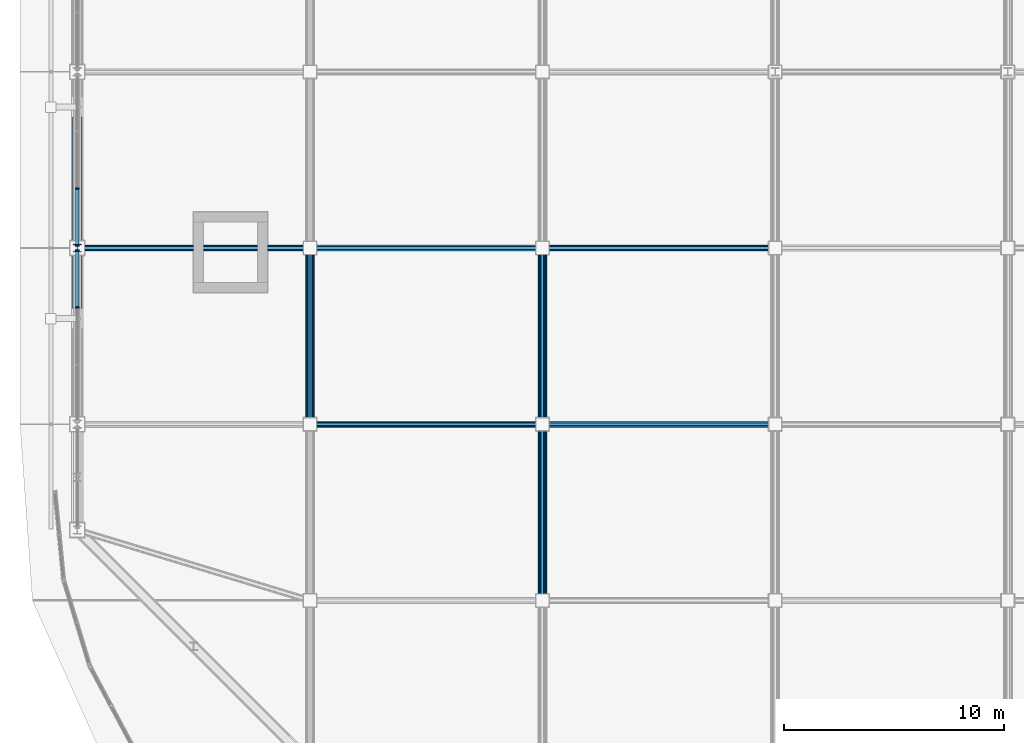
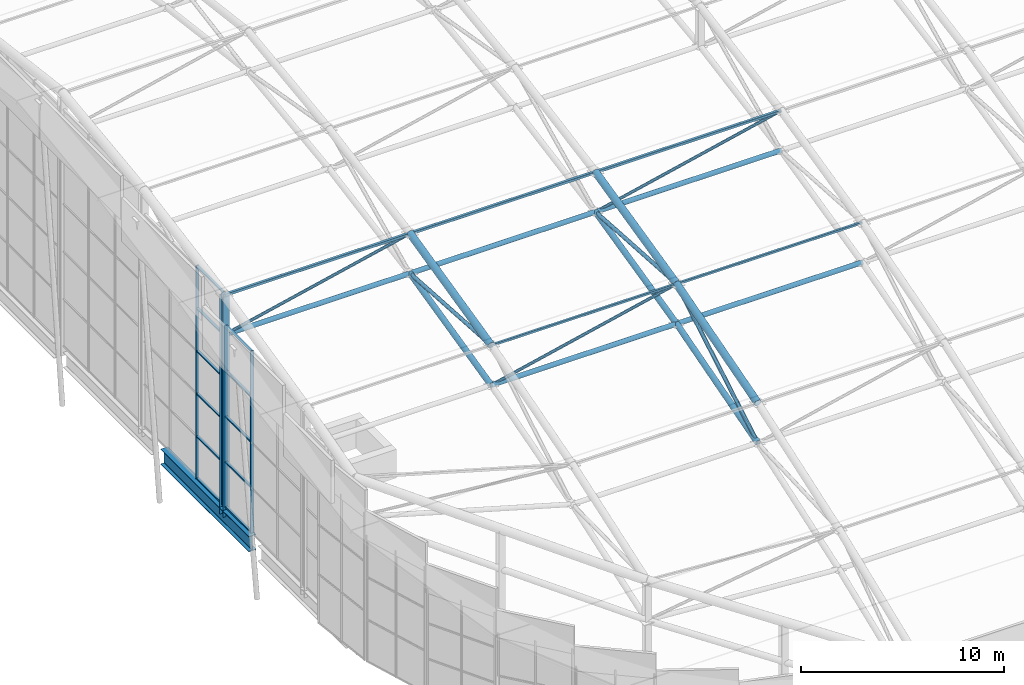
# One storey, part 5 of 42: 38 members, 1 beam, 2 elements without a shape of their own.
"""IFC4 building model written with IfcOpenShell, lengths in metres."""

from ifc_helpers import new_model, si_unit, direction, frame, origin, origin_2d, place, context, subcontext, project, spatial, rectangle, hollow_rectangle, hollow_circle, i_section, extrude, material, layer, layer_set, material_profile, profile_set, type_object, element, aggregate, save


model = new_model("IFC4")

# Units and contexts
model_context = context("Model", 3, precision=1e-05, world=origin(), true_north=direction((0.0, 1.0)))
body_context = subcontext(model_context, "Body", "Model", "MODEL_VIEW")
ifc_project = project(units=[si_unit("LENGTHUNIT", "METRE"), si_unit("AREAUNIT", "SQUARE_METRE"), si_unit("VOLUMEUNIT", "CUBIC_METRE"), si_unit("PLANEANGLEUNIT", "RADIAN"), si_unit("MASSUNIT", "GRAM", prefix="KILO")], contexts=[model_context])

# Site, building, storey
site_placement = place(None, origin())
site = spatial("IfcSite", under=ifc_project, at=site_placement, CompositionType="ELEMENT")
building_placement = place(site_placement, origin())
building = spatial("IfcBuilding", under=site, at=building_placement, Name="Caelomonte Colonnade Arena", CompositionType="ELEMENT")
storey_placement = place(building_placement, frame((0.0, 0.0, 28.199951171875)))
storey = spatial("IfcBuildingStorey", under=building, at=storey_placement, Name="RF", CompositionType="ELEMENT", Elevation=28.199951171875)

# Curtain wall, members
ifc_material_1 = material(Name="Bronze anodised aluminium and low-E glazing", Category="aluminium")
ifc_layer_1 = layer(ifc_material_1, 0.179931640625)
ifc_layer_set_1 = layer_set([ifc_layer_1], Name="Bronze anodised aluminium and low-E glazing")
curtain_wall_type_1 = type_object("IfcCurtainWallType", Name="ENV-CW-CW-TYMP-02", PredefinedType="USERDEFINED", material=ifc_layer_set_1)
curtain_wall_1_placement = place(storey_placement, origin())
curtain_wall_1 = element("IfcCurtainWall", 1, at=curtain_wall_1_placement, inside=storey, type_object=curtain_wall_type_1, Name="Barrel arch W clerestory tympanum curtain wall 2", ObjectType="UNITIZED CURTAIN WALL", PredefinedType="USERDEFINED")
ifc_material_2 = material(Name="Bronze anodised aluminium AA6063-T6", Category="aluminium")
ifc_material_profile_1 = material_profile(ifc_material_2, rectangle(XDim=0.070068359375, YDim=0.179931640625, at=origin_2d()), Name="CWM-70X180")
ifc_profile_set_1 = profile_set([ifc_material_profile_1], Name="Bronze anodised aluminium AA6063-T6")
member_type_1 = type_object("IfcMemberType", Name="ENV-CW-MULL1", PredefinedType="MULLION", material=ifc_profile_set_1)
member_1_placement = place(storey_placement, frame((57.60009765625, 51.0849609375, -0.14990234375), z_axis=(0.0, 0.0, 1.0), x_axis=(0.0, -1.0, 0.0)))
member_1 = element("IfcMember", 2, at=member_1_placement, type_object=member_type_1, Name="CW-TYMP-02 mullion 1", PredefinedType="MULLION", context=body_context, shape_type="SweptSolid", body=[
    extrude(rectangle(XDim=0.070068359375, YDim=0.179931640625, at=origin_2d()), origin(), (0.0, 0.0, 1.0), 10.952880859375),
])
member_2_placement = place(storey_placement, frame((57.60009765625, 48.506591796875, -0.14990234375), z_axis=(0.0, 0.0, 1.0), x_axis=(0.0, -1.0, 0.0)))
member_2 = element("IfcMember", 3, at=member_2_placement, type_object=member_type_1, Name="CW-TYMP-02 mullion 2", PredefinedType="MULLION", context=body_context, shape_type="SweptSolid", body=[
    extrude(rectangle(XDim=0.070068359375, YDim=0.179931640625, at=origin_2d()), origin(), (0.0, 0.0, 1.0), 10.952880859375),
])

ifc_layer_2 = layer(ifc_material_1, 0.179931640625)
ifc_layer_set_2 = layer_set([ifc_layer_2], Name="Bronze anodised aluminium and low-E glazing")
curtain_wall_type_2 = type_object("IfcCurtainWallType", Name="ENV-CW-CW-TYMP-03", PredefinedType="USERDEFINED", material=ifc_layer_set_2)
curtain_wall_2_placement = place(storey_placement, origin())
curtain_wall_2 = element("IfcCurtainWall", 4, at=curtain_wall_2_placement, inside=storey, type_object=curtain_wall_type_2, Name="Barrel arch W clerestory tympanum curtain wall 3", ObjectType="UNITIZED CURTAIN WALL", PredefinedType="USERDEFINED")
member_3_placement = place(storey_placement, frame((57.60009765625, 53.893310546875, -0.14990234375), z_axis=(0.0, 0.0, 1.0), x_axis=(0.0, -1.0, 0.0)))
member_3 = element("IfcMember", 5, at=member_3_placement, type_object=member_type_1, Name="CW-TYMP-03 mullion 3", PredefinedType="MULLION", context=body_context, shape_type="SweptSolid", body=[
    extrude(rectangle(XDim=0.070068359375, YDim=0.179931640625, at=origin_2d()), origin(), (0.0, 0.0, 1.0), 12.8359375),
])
member_4_placement = place(storey_placement, frame((57.60009765625, 51.31494140625, -0.14990234375), z_axis=(0.0, 0.0, 1.0), x_axis=(0.0, -1.0, 0.0)))
member_4 = element("IfcMember", 6, at=member_4_placement, type_object=member_type_1, Name="CW-TYMP-03 mullion 4", PredefinedType="MULLION", context=body_context, shape_type="SweptSolid", body=[
    extrude(rectangle(XDim=0.070068359375, YDim=0.179931640625, at=origin_2d()), origin(), (0.0, 0.0, 1.0), 12.8359375),
])

# Member
ifc_material_profile_2 = material_profile(ifc_material_2, rectangle(XDim=0.070068359375, YDim=0.139892578125, at=origin_2d()), Name="CWT-70X140")
ifc_profile_set_2 = profile_set([ifc_material_profile_2], Name="Bronze anodised aluminium AA6063-T6")
member_type_2 = type_object("IfcMemberType", Name="ENV-CW-TRAN1", PredefinedType="USERDEFINED", material=ifc_profile_set_2)
member_5_placement = place(storey_placement, frame((57.60009765625, 51.050048828125, -0.114990234375), z_axis=(0.0, -1.0, 0.0), x_axis=(0.0, 0.0, 1.0)))
member_5 = element("IfcMember", 7, at=member_5_placement, type_object=member_type_2, Name="CW-TYMP-02 transom 1.1", ObjectType="TRANSOM", PredefinedType="USERDEFINED", context=body_context, shape_type="SweptSolid", body=[
    extrude(rectangle(XDim=0.070068359375, YDim=0.139892578125, at=origin_2d()), origin(), (0.0, 0.0, 1.0), 2.50830078125),
])

member_6_placement = place(storey_placement, frame((57.60009765625, 51.050048828125, 2.58837890625), z_axis=(0.0, -1.0, 0.0), x_axis=(0.0, 0.0, 1.0)))
member_6 = element("IfcMember", 8, at=member_6_placement, type_object=member_type_2, Name="CW-TYMP-02 transom 1.2", ObjectType="TRANSOM", PredefinedType="USERDEFINED", context=body_context, shape_type="SweptSolid", body=[
    extrude(rectangle(XDim=0.070068359375, YDim=0.139892578125, at=origin_2d()), origin(), (0.0, 0.0, 1.0), 2.50830078125),
])

member_7_placement = place(storey_placement, frame((57.60009765625, 51.050048828125, 5.32666015625), z_axis=(0.0, -1.0, 0.0), x_axis=(0.0, 0.0, 1.0)))
member_7 = element("IfcMember", 9, at=member_7_placement, type_object=member_type_2, Name="CW-TYMP-02 transom 1.3", ObjectType="TRANSOM", PredefinedType="USERDEFINED", context=body_context, shape_type="SweptSolid", body=[
    extrude(rectangle(XDim=0.070068359375, YDim=0.139892578125, at=origin_2d()), origin(), (0.0, 0.0, 1.0), 2.50830078125),
])

member_8_placement = place(storey_placement, frame((57.60009765625, 51.050048828125, 8.064697265625), z_axis=(0.0, -1.0, 0.0), x_axis=(0.0, 0.0, 1.0)))
member_8 = element("IfcMember", 10, at=member_8_placement, type_object=member_type_2, Name="CW-TYMP-02 transom 1.4", ObjectType="TRANSOM", PredefinedType="USERDEFINED", context=body_context, shape_type="SweptSolid", body=[
    extrude(rectangle(XDim=0.070068359375, YDim=0.139892578125, at=origin_2d()), origin(), (0.0, 0.0, 1.0), 2.50830078125),
])

member_9_placement = place(storey_placement, frame((57.60009765625, 51.050048828125, 10.76806640625), z_axis=(0.0, -1.0, 0.0), x_axis=(0.0, 0.0, 1.0)))
member_9 = element("IfcMember", 11, at=member_9_placement, type_object=member_type_2, Name="CW-TYMP-02 transom 1.5", ObjectType="TRANSOM", PredefinedType="USERDEFINED", context=body_context, shape_type="SweptSolid", body=[
    extrude(rectangle(XDim=0.070068359375, YDim=0.139892578125, at=origin_2d()), origin(), (0.0, 0.0, 1.0), 2.50830078125),
])

aggregate(curtain_wall_1, [member_1, member_2, member_5, member_6, member_7, member_8, member_9])

member_10_placement = place(storey_placement, frame((57.60009765625, 53.8583984375, -0.114990234375), z_axis=(0.0, -1.0, 0.0), x_axis=(0.0, 0.0, 1.0)))
member_10 = element("IfcMember", 12, at=member_10_placement, type_object=member_type_2, Name="CW-TYMP-03 transom 3.1", ObjectType="TRANSOM", PredefinedType="USERDEFINED", context=body_context, shape_type="SweptSolid", body=[
    extrude(rectangle(XDim=0.070068359375, YDim=0.139892578125, at=origin_2d()), origin(), (0.0, 0.0, 1.0), 2.50830078125),
])

member_11_placement = place(storey_placement, frame((57.60009765625, 53.8583984375, 2.417236328125), z_axis=(0.0, -1.0, 0.0), x_axis=(0.0, 0.0, 1.0)))
member_11 = element("IfcMember", 13, at=member_11_placement, type_object=member_type_2, Name="CW-TYMP-03 transom 3.2", ObjectType="TRANSOM", PredefinedType="USERDEFINED", context=body_context, shape_type="SweptSolid", body=[
    extrude(rectangle(XDim=0.070068359375, YDim=0.139892578125, at=origin_2d()), origin(), (0.0, 0.0, 1.0), 2.50830078125),
])

member_12_placement = place(storey_placement, frame((57.60009765625, 53.8583984375, 4.984375), z_axis=(0.0, -1.0, 0.0), x_axis=(0.0, 0.0, 1.0)))
member_12 = element("IfcMember", 14, at=member_12_placement, type_object=member_type_2, Name="CW-TYMP-03 transom 3.3", ObjectType="TRANSOM", PredefinedType="USERDEFINED", context=body_context, shape_type="SweptSolid", body=[
    extrude(rectangle(XDim=0.070068359375, YDim=0.139892578125, at=origin_2d()), origin(), (0.0, 0.0, 1.0), 2.50830078125),
])

member_13_placement = place(storey_placement, frame((57.60009765625, 53.8583984375, 7.5517578125), z_axis=(0.0, -1.0, 0.0), x_axis=(0.0, 0.0, 1.0)))
member_13 = element("IfcMember", 15, at=member_13_placement, type_object=member_type_2, Name="CW-TYMP-03 transom 3.4", ObjectType="TRANSOM", PredefinedType="USERDEFINED", context=body_context, shape_type="SweptSolid", body=[
    extrude(rectangle(XDim=0.070068359375, YDim=0.139892578125, at=origin_2d()), origin(), (0.0, 0.0, 1.0), 2.50830078125),
])

member_14_placement = place(storey_placement, frame((57.60009765625, 53.8583984375, 10.118896484375), z_axis=(0.0, -1.0, 0.0), x_axis=(0.0, 0.0, 1.0)))
member_14 = element("IfcMember", 16, at=member_14_placement, type_object=member_type_2, Name="CW-TYMP-03 transom 3.5", ObjectType="TRANSOM", PredefinedType="USERDEFINED", context=body_context, shape_type="SweptSolid", body=[
    extrude(rectangle(XDim=0.070068359375, YDim=0.139892578125, at=origin_2d()), origin(), (0.0, 0.0, 1.0), 2.50830078125),
])

member_15_placement = place(storey_placement, frame((57.60009765625, 53.8583984375, 12.651123046875), z_axis=(0.0, -1.0, 0.0), x_axis=(0.0, 0.0, 1.0)))
member_15 = element("IfcMember", 17, at=member_15_placement, type_object=member_type_2, Name="CW-TYMP-03 transom 3.6", ObjectType="TRANSOM", PredefinedType="USERDEFINED", context=body_context, shape_type="SweptSolid", body=[
    extrude(rectangle(XDim=0.070068359375, YDim=0.139892578125, at=origin_2d()), origin(), (0.0, 0.0, 1.0), 2.50830078125),
])

aggregate(curtain_wall_2, [member_3, member_4, member_10, member_11, member_12, member_13, member_14, member_15])

# Beam
ifc_material_3 = material(Name="Wide-flange steel ASTM A992 Grade 50", Category="steel")
ifc_material_profile_3 = material_profile(ifc_material_3, i_section(OverallWidth=0.418212890625, OverallDepth=0.927001953125, WebThickness=0.019287109375, FlangeThickness=0.031982421875, FilletRadius=0.024169921875, at=origin_2d()), Name="W36X231")
ifc_profile_set_3 = profile_set([ifc_material_profile_3], Name="Wide-flange steel ASTM A992 Grade 50")
beam_type = type_object("IfcBeamType", Name="STR-BM-EAVES1", PredefinedType="SPANDREL", material=ifc_profile_set_3)
beam_placement = place(storey_placement, frame((57.60009765625, 48.44921875, -0.743408203125), z_axis=(0.0, 1.0, 0.0), x_axis=(-1.0, 0.0, 0.0)))
element("IfcBeam", 18, at=beam_placement, inside=storey, type_object=beam_type, Name="RF girder BMY-RF-0576-0480", PredefinedType="SPANDREL", context=body_context, shape_type="SweptSolid", body=[
    extrude(i_section(OverallWidth=0.418212890625, OverallDepth=0.927001953125, WebThickness=0.019287109375, FlangeThickness=0.031982421875, FilletRadius=0.024169921875, at=origin_2d()), origin(), (0.0, 0.0, 1.0), 8.70166015625),
])

# Members
ifc_material_profile_4 = material_profile(ifc_material_3, i_section(OverallWidth=0.368896484375, OverallDepth=0.356201171875, WebThickness=0.01123046875, FlangeThickness=0.01806640625, FilletRadius=0.01513671875, at=origin_2d()), Name="W14X90")
ifc_profile_set_4 = profile_set([ifc_material_profile_4], Name="Wide-flange steel ASTM A992 Grade 50")
member_type_3 = type_object("IfcMemberType", Name="STR-CAT-STR", PredefinedType="STRUT", material=ifc_profile_set_4)
member_16_placement = place(storey_placement, frame((57.60009765625, 51.199951171875, -0.699951171875), z_axis=(0.0, 0.0, 1.0), x_axis=(1.0, 0.0, 0.0)))
element("IfcMember", 19, at=member_16_placement, inside=storey, type_object=member_type_3, Name="Roof truss eaves bearing post 0-4", PredefinedType="STRUT", context=body_context, shape_type="SweptSolid", body=[
    extrude(i_section(OverallWidth=0.368896484375, OverallDepth=0.356201171875, WebThickness=0.01123046875, FlangeThickness=0.01806640625, FilletRadius=0.01513671875, at=origin_2d()), origin(), (0.0, 0.0, 1.0), 13.236083984375),
])
ifc_material_4 = material(Name="Steel ASTM A500 Grade C", Category="steel")
ifc_material_profile_5 = material_profile(ifc_material_4, hollow_circle(Radius=0.161865234375, WallThickness=0.010009765625, at=origin_2d()), Name="CHS323.9X10.0")
ifc_profile_set_5 = profile_set([ifc_material_profile_5], Name="Steel ASTM A500 Grade C")
member_type_4 = type_object("IfcMemberType", Name="STR-SF-BC2", PredefinedType="CHORD", material=ifc_profile_set_5)
member_17_placement = place(storey_placement, frame((68.159912109375, 43.201904296875, 8.253662109375), z_axis=(0.0, 0.973406253466, 0.229085716955), x_axis=(-1.0, 0.0, 0.0)))
element("IfcMember", 20, at=member_17_placement, inside=storey, type_object=member_type_4, Name="Arched roof truss bottom chord 1-3", PredefinedType="CHORD", context=body_context, shape_type="SweptSolid", body=[
    extrude(hollow_circle(Radius=0.161865234375, WallThickness=0.010009765625, at=origin_2d()), origin(), (0.0, 0.0, 1.0), 8.214599609375),
])
member_18_placement = place(storey_placement, frame((78.719970703125, 35.201904296875, 5.936767578125), z_axis=(0.0, 0.960531688459, 0.278170586988), x_axis=(-1.0, 0.0, 0.0)))
element("IfcMember", 21, at=member_18_placement, inside=storey, type_object=member_type_4, Name="Arched roof truss bottom chord 2-2", PredefinedType="CHORD", context=body_context, shape_type="SweptSolid", body=[
    extrude(hollow_circle(Radius=0.161865234375, WallThickness=0.010009765625, at=origin_2d()), origin(), (0.0, 0.0, 1.0), 8.32470703125),
])
member_19_placement = place(storey_placement, frame((78.719970703125, 43.201904296875, 8.253662109375), z_axis=(0.0, 0.973406253466, 0.229085716955), x_axis=(-1.0, 0.0, 0.0)))
element("IfcMember", 22, at=member_19_placement, inside=storey, type_object=member_type_4, Name="Arched roof truss bottom chord 2-3", PredefinedType="CHORD", context=body_context, shape_type="SweptSolid", body=[
    extrude(hollow_circle(Radius=0.161865234375, WallThickness=0.010009765625, at=origin_2d()), origin(), (0.0, 0.0, 1.0), 8.214599609375),
])
ifc_material_profile_6 = material_profile(ifc_material_4, hollow_rectangle(XDim=0.15234375, YDim=0.15234375, WallThickness=0.008056640625, InnerFilletRadius=0.008056640625, OuterFilletRadius=0.01611328125, at=origin_2d()), Name="HSS152X152X8.0")
ifc_profile_set_6 = profile_set([ifc_material_profile_6], Name="Steel ASTM A500 Grade C")
member_type_5 = type_object("IfcMemberType", Name="STR-SF-PUR2", PredefinedType="PURLIN", material=ifc_profile_set_6)
for number, where, z_axis, x_axis, name in (
    (23, (57.60205078125, 51.199951171875, 12.5361328125), (1.0, 0.0, 0.0), (0.0, 1.0, 0.0), "Arched roof purlin 0-4"),
    (24, (68.162109375, 51.199951171875, 12.5361328125), (1.0, 0.0, 0.0), (0.0, 1.0, 0.0), "Arched roof purlin 1-4"),
):
    element("IfcMember", number, at=place(storey_placement, frame(where, z_axis=z_axis, x_axis=x_axis)), inside=storey, type_object=member_type_5, Name=name, PredefinedType="PURLIN", context=body_context, shape_type="SweptSolid", body=[
        extrude(hollow_rectangle(XDim=0.15234375, YDim=0.15234375, WallThickness=0.008056640625, InnerFilletRadius=0.008056640625, OuterFilletRadius=0.01611328125, at=origin_2d()), origin(), (0.0, 0.0, 1.0), 10.555908203125),
    ])
member_20_placement = place(storey_placement, frame((78.721923828125, 51.199951171875, 12.5361328125), z_axis=(1.0, 0.0, 0.0), x_axis=(0.0, 1.0, 0.0)))
element("IfcMember", 25, at=member_20_placement, inside=storey, type_object=member_type_5, Name="Arched roof purlin 2-4", PredefinedType="PURLIN", context=body_context, shape_type="SweptSolid", body=[
    extrude(hollow_rectangle(XDim=0.15234375, YDim=0.15234375, WallThickness=0.008056640625, InnerFilletRadius=0.008056640625, OuterFilletRadius=0.01611328125, at=origin_2d()), origin(), (0.0, 0.0, 1.0), 10.55615234375),
])
ifc_material_profile_7 = material_profile(ifc_material_4, hollow_rectangle(XDim=0.126953125, YDim=0.126953125, WallThickness=0.00634765625, InnerFilletRadius=0.00634765625, OuterFilletRadius=0.0126953125, at=origin_2d()), Name="HSS127X127X6.4")
ifc_profile_set_7 = profile_set([ifc_material_profile_7], Name="Steel ASTM A500 Grade C")
member_type_6 = type_object("IfcMemberType", Name="STR-SF-PUR3", PredefinedType="PURLIN", material=ifc_profile_set_7)
member_21_placement = place(storey_placement, frame((68.162109375, 43.199951171875, 10.653076171875), z_axis=(1.0, 0.0, 0.0), x_axis=(0.0, 1.0, 0.0)))
element("IfcMember", 26, at=member_21_placement, inside=storey, type_object=member_type_6, Name="Arched roof purlin 1-3", PredefinedType="PURLIN", context=body_context, shape_type="SweptSolid", body=[
    extrude(hollow_rectangle(XDim=0.126953125, YDim=0.126953125, WallThickness=0.00634765625, InnerFilletRadius=0.00634765625, OuterFilletRadius=0.0126953125, at=origin_2d()), origin(), (0.0, 0.0, 1.0), 10.555908203125),
])
member_22_placement = place(storey_placement, frame((78.721923828125, 43.199951171875, 10.653076171875), z_axis=(1.0, 0.0, 0.0), x_axis=(0.0, 1.0, 0.0)))
element("IfcMember", 27, at=member_22_placement, inside=storey, type_object=member_type_6, Name="Arched roof purlin 2-3", PredefinedType="PURLIN", context=body_context, shape_type="SweptSolid", body=[
    extrude(hollow_rectangle(XDim=0.126953125, YDim=0.126953125, WallThickness=0.00634765625, InnerFilletRadius=0.00634765625, OuterFilletRadius=0.0126953125, at=origin_2d()), origin(), (0.0, 0.0, 1.0), 10.55615234375),
])
ifc_material_profile_8 = material_profile(ifc_material_4, hollow_circle(Radius=0.203125, WallThickness=0.0126953125, at=origin_2d()), Name="CHS406.4X12.7")
ifc_profile_set_8 = profile_set([ifc_material_profile_8], Name="Steel ASTM A500 Grade C")
member_type_7 = type_object("IfcMemberType", Name="STR-SF-TC2", PredefinedType="CHORD", material=ifc_profile_set_8)
member_23_placement = place(storey_placement, frame((68.159912109375, 43.201904296875, 10.653564453125), z_axis=(0.0, 0.973399625624, 0.229113877441), x_axis=(-1.0, 0.0, 0.0)))
element("IfcMember", 28, at=member_23_placement, inside=storey, type_object=member_type_7, Name="Arched roof truss top chord 1-3", PredefinedType="CHORD", context=body_context, shape_type="SweptSolid", body=[
    extrude(hollow_circle(Radius=0.203125, WallThickness=0.0126953125, at=origin_2d()), origin(), (0.0, 0.0, 1.0), 8.214599609375),
])
member_24_placement = place(storey_placement, frame((78.719970703125, 35.201904296875, 8.336669921875), z_axis=(0.0, 0.960531688459, 0.278170586988), x_axis=(-1.0, 0.0, 0.0)))
element("IfcMember", 29, at=member_24_placement, inside=storey, type_object=member_type_7, Name="Arched roof truss top chord 2-2", PredefinedType="CHORD", context=body_context, shape_type="SweptSolid", body=[
    extrude(hollow_circle(Radius=0.203125, WallThickness=0.0126953125, at=origin_2d()), origin(), (0.0, 0.0, 1.0), 8.32470703125),
])
member_25_placement = place(storey_placement, frame((78.719970703125, 43.201904296875, 10.653564453125), z_axis=(0.0, 0.973399625624, 0.229113877441), x_axis=(-1.0, 0.0, 0.0)))
element("IfcMember", 30, at=member_25_placement, inside=storey, type_object=member_type_7, Name="Arched roof truss top chord 2-3", PredefinedType="CHORD", context=body_context, shape_type="SweptSolid", body=[
    extrude(hollow_circle(Radius=0.203125, WallThickness=0.0126953125, at=origin_2d()), origin(), (0.0, 0.0, 1.0), 8.214599609375),
])
ifc_material_profile_9 = material_profile(ifc_material_4, hollow_circle(Radius=0.136474609375, WallThickness=0.00927734375, at=origin_2d()), Name="CHS273.0X9.3")
ifc_profile_set_9 = profile_set([ifc_material_profile_9], Name="Steel ASTM A500 Grade C")
member_type_8 = type_object("IfcMemberType", Name="STR-SF-TIE", PredefinedType="STRUT", material=ifc_profile_set_9)
for number, where, z_axis, x_axis, name in (
    (31, (57.60205078125, 51.199951171875, 10.135986328125), (1.0, 0.0, 0.0), (0.0, 1.0, 0.0), "Space frame roof tie strut 0-4"),
    (32, (68.162109375, 43.199951171875, 8.2529296875), (1.0, 0.0, 0.0), (0.0, 1.0, 0.0), "Space frame roof tie strut 1-3"),
    (33, (68.162109375, 51.199951171875, 10.135986328125), (1.0, 0.0, 0.0), (0.0, 1.0, 0.0), "Space frame roof tie strut 1-4"),
):
    element("IfcMember", number, at=place(storey_placement, frame(where, z_axis=z_axis, x_axis=x_axis)), inside=storey, type_object=member_type_8, Name=name, PredefinedType="STRUT", context=body_context, shape_type="SweptSolid", body=[
        extrude(hollow_circle(Radius=0.136474609375, WallThickness=0.00927734375, at=origin_2d()), origin(), (0.0, 0.0, 1.0), 10.555908203125),
    ])
for number, where, z_axis, x_axis, name in (
    (34, (78.721923828125, 43.199951171875, 8.2529296875), (1.0, 0.0, 0.0), (0.0, 1.0, 0.0), "Space frame roof tie strut 2-3"),
    (35, (78.721923828125, 51.199951171875, 10.135986328125), (1.0, 0.0, 0.0), (0.0, 1.0, 0.0), "Space frame roof tie strut 2-4"),
):
    element("IfcMember", number, at=place(storey_placement, frame(where, z_axis=z_axis, x_axis=x_axis)), inside=storey, type_object=member_type_8, Name=name, PredefinedType="STRUT", context=body_context, shape_type="SweptSolid", body=[
        extrude(hollow_circle(Radius=0.136474609375, WallThickness=0.00927734375, at=origin_2d()), origin(), (0.0, 0.0, 1.0), 10.55615234375),
    ])
ifc_material_profile_10 = material_profile(ifc_material_4, hollow_circle(Radius=0.109619140625, WallThickness=0.00830078125, at=origin_2d()), Name="CHS219.1X8.2")
ifc_profile_set_10 = profile_set([ifc_material_profile_10], Name="Steel ASTM A500 Grade C")
member_type_9 = type_object("IfcMemberType", Name="STR-SF-WEB1", PredefinedType="BRACE", material=ifc_profile_set_10)
member_26_placement = place(storey_placement, frame((68.159912109375, 43.201904296875, 10.65283203125), z_axis=(0.0, 0.997919495279, -0.064472326942), x_axis=(-1.0, 0.0, 0.0)))
element("IfcMember", 36, at=member_26_placement, inside=storey, type_object=member_type_9, Name="Space frame roof truss web diagonal 1-3", PredefinedType="BRACE", context=body_context, shape_type="SweptSolid", body=[
    extrude(hollow_circle(Radius=0.109619140625, WallThickness=0.00830078125, at=origin_2d()), origin(), (0.0, 0.0, 1.0), 8.0126953125),
])
member_27_placement = place(storey_placement, frame((78.719970703125, 35.20166015625, 5.93701171875), z_axis=(0.0, 0.861405734482, 0.507917474203), x_axis=(-1.0, 0.0, 0.0)))
element("IfcMember", 37, at=member_27_placement, inside=storey, type_object=member_type_9, Name="Space frame roof truss web diagonal 2-2", PredefinedType="BRACE", context=body_context, shape_type="SweptSolid", body=[
    extrude(hollow_circle(Radius=0.109619140625, WallThickness=0.00830078125, at=origin_2d()), origin(), (0.0, 0.0, 1.0), 9.283203125),
])
member_28_placement = place(storey_placement, frame((78.719970703125, 43.201904296875, 10.65283203125), z_axis=(0.0, 0.997919495279, -0.064472326942), x_axis=(-1.0, 0.0, 0.0)))
element("IfcMember", 38, at=member_28_placement, inside=storey, type_object=member_type_9, Name="Space frame roof truss web diagonal 2-3", PredefinedType="BRACE", context=body_context, shape_type="SweptSolid", body=[
    extrude(hollow_circle(Radius=0.109619140625, WallThickness=0.00830078125, at=origin_2d()), origin(), (0.0, 0.0, 1.0), 8.0126953125),
])
ifc_material_profile_11 = material_profile(ifc_material_4, hollow_circle(Radius=0.084228515625, WallThickness=0.007080078125, at=origin_2d()), Name="CHS168.3X7.1")
ifc_profile_set_11 = profile_set([ifc_material_profile_11], Name="Steel ASTM A500 Grade C")
member_type_10 = type_object("IfcMemberType", Name="STR-SF-WEB2", PredefinedType="BRACE", material=ifc_profile_set_11)
for number, where, z_axis, x_axis, name in (
    (39, (57.60205078125, 51.199951171875, 10.136474609375), (0.975130861858, 0.0, 0.221629876714), (0.0, 1.0, 0.0), "Space frame transverse diagonal 0-4"),
    (40, (68.162109375, 43.199951171875, 8.25341796875), (0.975130861858, 0.0, 0.221629876714), (0.0, 1.0, 0.0), "Space frame transverse diagonal 1-3"),
):
    element("IfcMember", number, at=place(storey_placement, frame(where, z_axis=z_axis, x_axis=x_axis)), inside=storey, type_object=member_type_10, Name=name, PredefinedType="BRACE", context=body_context, shape_type="SweptSolid", body=[
        extrude(hollow_circle(Radius=0.084228515625, WallThickness=0.007080078125, at=origin_2d()), origin(), (0.0, 0.0, 1.0), 10.8251953125),
    ])
member_29_placement = place(storey_placement, frame((78.721923828125, 51.199951171875, 10.136474609375), z_axis=(0.975131969628, 0.0, 0.221625002672), x_axis=(0.0, 1.0, 0.0)))
element("IfcMember", 41, at=member_29_placement, inside=storey, type_object=member_type_10, Name="Space frame transverse diagonal 2-4", PredefinedType="BRACE", context=body_context, shape_type="SweptSolid", body=[
    extrude(hollow_circle(Radius=0.084228515625, WallThickness=0.007080078125, at=origin_2d()), origin(), (0.0, 0.0, 1.0), 10.825439453125),
])

save(model, "model.ifc")
